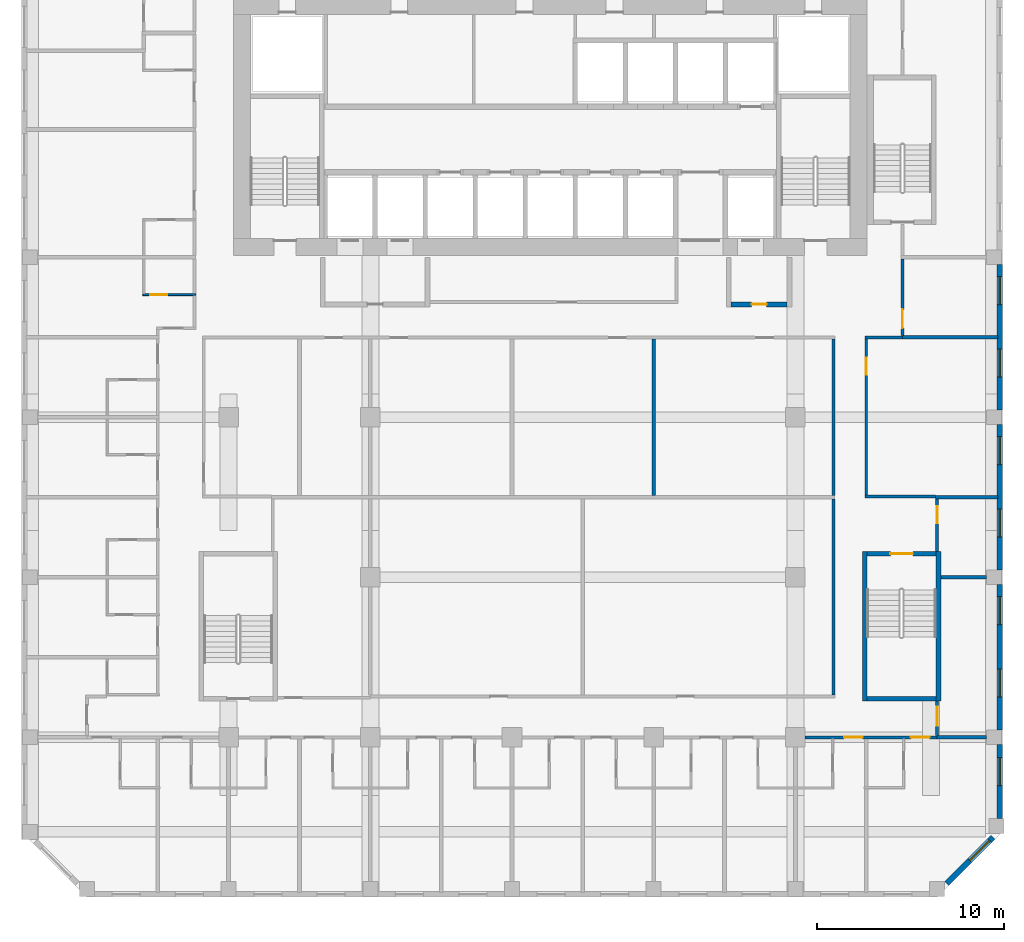
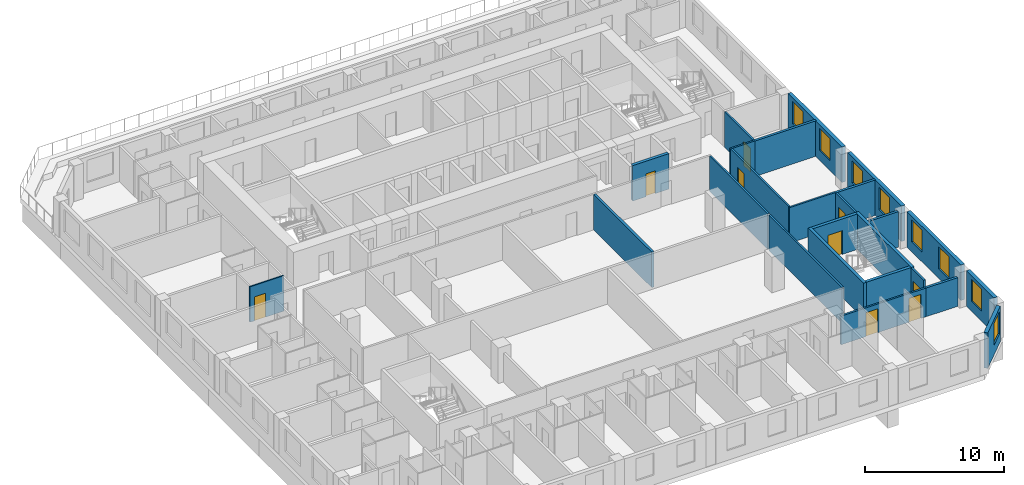
# One storey, part 6 of 16: 25 walls, 9 doors, 8 windows, 17 openings.
"""IFC4 building model written with IfcOpenShell, lengths in metres."""

from ifc_helpers import new_model, si_unit, direction, frame, frame_2d, origin, place, context, subcontext, project, spatial, rectangle, extrude, source, transform, mapped, material, layer, layer_set, type_object, element, fill, save


model = new_model("IFC4")

# Units and contexts
model_context = context("Model", 3, precision=1e-05, world=origin(), true_north=direction((0.0, 1.0)))
body_context = subcontext(model_context, "Body", "Model", "MODEL_VIEW")
ifc_project = project(units=[si_unit("LENGTHUNIT", "METRE"), si_unit("AREAUNIT", "SQUARE_METRE"), si_unit("VOLUMEUNIT", "CUBIC_METRE"), si_unit("PLANEANGLEUNIT", "RADIAN"), si_unit("MASSUNIT", "GRAM", prefix="KILO")], contexts=[model_context])

# Site, building, storey
site_placement = place(None, origin())
site = spatial("IfcSite", under=ifc_project, at=site_placement, CompositionType="ELEMENT")
building_placement = place(site_placement, origin())
building = spatial("IfcBuilding", under=site, at=building_placement, Name="Kilnfold Tower and Market Hall", CompositionType="ELEMENT")
storey_placement = place(building_placement, frame((0.0, 0.0, 168.5)))
storey = spatial("IfcBuildingStorey", under=building, at=storey_placement, Name="L39", CompositionType="ELEMENT", Elevation=168.5)

# Wall, openings, doors
ifc_material_1 = material(Name="Gypsum board on steel studs", Category="steel")
ifc_layer_1 = layer(ifc_material_1, 0.14990234375)
ifc_layer_set_1 = layer_set([ifc_layer_1], Name="Gypsum board on steel studs")
wall_type_1 = type_object("IfcWallType", Name="WALL CORRIDOR 150", PredefinedType="PARTITIONING", material=ifc_layer_set_1)
wall_1_placement = place(storey_placement, frame((14.69189453125, -17.699951171875, 0.0), z_axis=(0.0, 0.0, 1.0), x_axis=(1.0, 0.0, 0.0)))
wall_1 = element("IfcWall", 1, at=wall_1_placement, inside=storey, type_object=wall_type_1, Name="Partition LY26.6", PredefinedType="PARTITIONING", context=body_context, shape_type="SweptSolid", body=[
    extrude(rectangle(XDim=7.05810546875, YDim=0.14990234375, at=frame_2d((3.529052734375, 0.0))), origin(), (0.0, 0.0, 1.0), 2.52001953125),
])
opening_1_placement = place(wall_1_placement, frame((2.076904296875, 0.0, 0.0)))
opening_1 = element("IfcOpeningElement", 2, at=opening_1_placement, cuts=wall_1, Name="Opening D1", PredefinedType="OPENING", context=body_context, shape_type="SweptSolid", body=[
    extrude(rectangle(XDim=1.0, YDim=2.10009765625, at=frame_2d((0.5, 1.050048828125))), frame((0.0, 0.0849609375, 0.0), z_axis=(0.0, -1.0, 0.0), x_axis=(1.0, 0.0, 0.0)), (0.0, 0.0, 1.0), 0.169921875),
])
opening_2_placement = place(wall_1_placement, frame((5.656982421875, 0.0, 0.0)))
opening_2 = element("IfcOpeningElement", 3, at=opening_2_placement, cuts=wall_1, Name="Opening D1", PredefinedType="OPENING", context=body_context, shape_type="SweptSolid", body=[
    extrude(rectangle(XDim=1.0, YDim=2.10009765625, at=frame_2d((0.5, 1.050048828125))), frame((0.0, 0.0849609375, 0.0), z_axis=(0.0, -1.0, 0.0), x_axis=(1.0, 0.0, 0.0)), (0.0, 0.0, 1.0), 0.169921875),
])
ifc_material_2 = material(Name="Timber veneer door leaf in steel frame", Category="steel")
door_type_1 = type_object("IfcDoorType", Name="DOOR ENTRY 1000 X2100", OperationType="NOTDEFINED", PredefinedType="DOOR", material=ifc_material_2)
door_1_placement = place(opening_1_placement, origin())
door_1 = element("IfcDoor", 4, at=door_1_placement, inside=storey, type_object=door_type_1, Name="Door D1", OperationType="SINGLE_SWING_LEFT", OverallHeight=2.10009765625, OverallWidth=1.0, PredefinedType="DOOR", context=body_context, shape_type="SweptSolid", body=[
    extrude(rectangle(XDim=1.0, YDim=2.10009765625, at=frame_2d((0.5, 1.050048828125))), frame((0.0, 0.02490234375, 0.0), z_axis=(0.0, -1.0, 0.0), x_axis=(1.0, 0.0, 0.0)), (0.0, 0.0, 1.0), 0.050048828125),
])
fill(opening_1, door_1)
door_2_placement = place(opening_2_placement, origin())
door_2 = element("IfcDoor", 5, at=door_2_placement, inside=storey, type_object=door_type_1, Name="Door D1", OperationType="SINGLE_SWING_LEFT", OverallHeight=2.10009765625, OverallWidth=1.0, PredefinedType="DOOR", context=body_context, shape_type="SweptSolid", body=[
    extrude(rectangle(XDim=1.0, YDim=2.10009765625, at=frame_2d((0.5, 1.050048828125))), frame((0.0, 0.02490234375, 0.0), z_axis=(0.0, -1.0, 0.0), x_axis=(1.0, 0.0, 0.0)), (0.0, 0.0, 1.0), 0.050048828125),
])
fill(opening_2, door_2)

# Wall, opening, door
wall_2_placement = place(storey_placement, frame((19.89990234375, 3.80908203125, 0.0), z_axis=(0.0, 0.0, 1.0), x_axis=(0.0, 1.0, 0.0)))
wall_2 = element("IfcWall", 6, at=wall_2_placement, inside=storey, type_object=wall_type_1, Name="Partition LY26.29", PredefinedType="PARTITIONING", context=body_context, shape_type="SweptSolid", body=[
    extrude(rectangle(XDim=4.100830078125, YDim=0.14990234375, at=frame_2d((2.05029296875, 0.0))), origin(), (0.0, 0.0, 1.0), 3.1201171875),
])
opening_3_placement = place(wall_2_placement, frame((0.39990234375, 0.0, 0.0)))
opening_3 = element("IfcOpeningElement", 7, at=opening_3_placement, cuts=wall_2, Name="Opening D4", PredefinedType="OPENING", context=body_context, shape_type="SweptSolid", body=[
    extrude(rectangle(XDim=1.0, YDim=2.10009765625, at=frame_2d((0.5, 1.050048828125))), frame((0.0, 0.0849609375, 0.0), z_axis=(0.0, -1.0, 0.0), x_axis=(1.0, 0.0, 0.0)), (0.0, 0.0, 1.0), 0.169921875),
])
ifc_material_3 = material(Name="Timber veneer door leaf in steel frame", Category="steel")
door_type_2 = type_object("IfcDoorType", Name="DOOR SERVICE 1000 X2100", OperationType="NOTDEFINED", PredefinedType="DOOR", material=ifc_material_3)
door_3_placement = place(opening_3_placement, origin())
door_3 = element("IfcDoor", 8, at=door_3_placement, inside=storey, type_object=door_type_2, Name="Door D4", OperationType="SINGLE_SWING_LEFT", OverallHeight=2.10009765625, OverallWidth=1.0, PredefinedType="DOOR", context=body_context, shape_type="SweptSolid", body=[
    extrude(rectangle(XDim=1.0, YDim=2.10009765625, at=frame_2d((0.5, 1.050048828125))), frame((0.0, 0.02490234375, 0.0), z_axis=(0.0, -1.0, 0.0), x_axis=(1.0, 0.0, 0.0)), (0.0, 0.0, 1.0), 0.050048828125),
])
fill(opening_3, door_3)

# Wall
wall_3_placement = place(storey_placement, frame((17.884033203125, 3.699951171875, 0.0), z_axis=(0.0, 0.0, 1.0), x_axis=(1.0, 0.0, 0.0)))
element("IfcWall", 9, at=wall_3_placement, inside=storey, type_object=wall_type_1, Name="Partition LY26.34", PredefinedType="PARTITIONING", context=body_context, shape_type="SweptSolid", body=[
    extrude(rectangle(XDim=2.015869140625, YDim=0.14990234375, at=frame_2d((1.0078125, 0.0))), origin(), (0.0, 0.0, 1.0), 3.1201171875),
])

# Wall, opening, door
wall_4_placement = place(storey_placement, frame((17.958984375, -4.72509765625, 0.0), z_axis=(0.0, 0.0, 1.0), x_axis=(0.0, 1.0, 0.0)))
wall_4 = element("IfcWall", 10, at=wall_4_placement, inside=storey, type_object=wall_type_1, Name="Partition LY26.35", PredefinedType="PARTITIONING", context=body_context, shape_type="SweptSolid", body=[
    extrude(rectangle(XDim=8.35009765625, YDim=0.14990234375, at=frame_2d((4.175048828125, 0.0))), origin(), (0.0, 0.0, 1.0), 3.1201171875),
])
opening_4_placement = place(wall_4_placement, frame((6.444091796875, 0.0, 0.0)))
opening_4 = element("IfcOpeningElement", 11, at=opening_4_placement, cuts=wall_4, Name="Opening D2", PredefinedType="OPENING", context=body_context, shape_type="SweptSolid", body=[
    extrude(rectangle(XDim=0.89990234375, YDim=2.10009765625, at=frame_2d((0.449951171875, 1.050048828125))), frame((0.0, 0.0849609375, 0.0), z_axis=(0.0, -1.0, 0.0), x_axis=(1.0, 0.0, 0.0)), (0.0, 0.0, 1.0), 0.169921875),
])
ifc_material_4 = material(Name="Timber veneer door leaf in steel frame", Category="steel")
door_type_3 = type_object("IfcDoorType", Name="DOOR ROOM 900 X2100", OperationType="NOTDEFINED", PredefinedType="DOOR", material=ifc_material_4)
door_4_placement = place(opening_4_placement, origin())
door_4 = element("IfcDoor", 12, at=door_4_placement, inside=storey, type_object=door_type_3, Name="Door D2", OperationType="SINGLE_SWING_LEFT", OverallHeight=2.10009765625, OverallWidth=0.89990234375, PredefinedType="DOOR", context=body_context, shape_type="SweptSolid", body=[
    extrude(rectangle(XDim=0.89990234375, YDim=2.10009765625, at=frame_2d((0.449951171875, 1.050048828125))), frame((0.0, 0.02490234375, 0.0), z_axis=(0.0, -1.0, 0.0), x_axis=(1.0, 0.0, 0.0)), (0.0, 0.0, 1.0), 0.050048828125),
])
fill(opening_4, door_4)

# Wall
wall_5_placement = place(storey_placement, frame((17.884033203125, -4.800048828125, 0.0), z_axis=(0.0, 0.0, 1.0), x_axis=(1.0, 0.0, 0.0)))
element("IfcWall", 13, at=wall_5_placement, inside=storey, type_object=wall_type_1, Name="Partition LY26.36", PredefinedType="PARTITIONING", context=body_context, shape_type="SweptSolid", body=[
    extrude(rectangle(XDim=3.79296875, YDim=0.14990234375, at=frame_2d((1.896484375, 0.0))), origin(), (0.0, 0.0, 1.0), 3.1201171875),
])

# Wall, opening, door
wall_6_placement = place(storey_placement, frame((21.75, -7.75, 0.0), z_axis=(0.0, 0.0, 1.0), x_axis=(0.0, 1.0, 0.0)))
wall_6 = element("IfcWall", 14, at=wall_6_placement, inside=storey, type_object=wall_type_1, Name="Partition LY26.37", PredefinedType="PARTITIONING", context=body_context, shape_type="SweptSolid", body=[
    extrude(rectangle(XDim=2.81689453125, YDim=0.14990234375, at=frame_2d((1.408447265625, 0.0))), origin(), (0.0, 0.0, 1.0), 3.1201171875),
])
opening_5_placement = place(wall_6_placement, frame((1.514892578125, 0.0, 0.0)))
opening_5 = element("IfcOpeningElement", 15, at=opening_5_placement, cuts=wall_6, Name="Opening D2", PredefinedType="OPENING", context=body_context, shape_type="SweptSolid", body=[
    extrude(rectangle(XDim=0.89990234375, YDim=2.10009765625, at=frame_2d((0.449951171875, 1.050048828125))), frame((0.0, 0.0849609375, 0.0), z_axis=(0.0, -1.0, 0.0), x_axis=(1.0, 0.0, 0.0)), (0.0, 0.0, 1.0), 0.169921875),
])
door_5_placement = place(opening_5_placement, origin())
door_5 = element("IfcDoor", 16, at=door_5_placement, inside=storey, type_object=door_type_3, Name="Door D2", OperationType="SINGLE_SWING_RIGHT", OverallHeight=2.10009765625, OverallWidth=0.89990234375, PredefinedType="DOOR", context=body_context, shape_type="SweptSolid", body=[
    extrude(rectangle(XDim=0.89990234375, YDim=2.10009765625, at=frame_2d((0.449951171875, 1.050048828125))), frame((0.0, 0.02490234375, 0.0), z_axis=(0.0, -1.0, 0.0), x_axis=(1.0, 0.0, 0.0)), (0.0, 0.0, 1.0), 0.050048828125),
])
fill(opening_5, door_5)

wall_7_placement = place(storey_placement, frame((21.75, -17.597900390625, 0.0), z_axis=(0.0, 0.0, 1.0), x_axis=(0.0, 1.0, 0.0)))
wall_7 = element("IfcWall", 17, at=wall_7_placement, inside=storey, type_object=wall_type_1, Name="Partition LY26.38", PredefinedType="PARTITIONING", context=body_context, shape_type="SweptSolid", body=[
    extrude(rectangle(XDim=1.847900390625, YDim=0.14990234375, at=frame_2d((0.923828125, 0.0))), origin(), (0.0, 0.0, 1.0), 3.1201171875),
])
opening_6_placement = place(wall_7_placement, frame((0.535888671875, 0.0, 0.0)))
opening_6 = element("IfcOpeningElement", 18, at=opening_6_placement, cuts=wall_7, Name="Opening D4", PredefinedType="OPENING", context=body_context, shape_type="SweptSolid", body=[
    extrude(rectangle(XDim=1.0, YDim=2.10009765625, at=frame_2d((0.5, 1.050048828125))), frame((0.0, 0.0849609375, 0.0), z_axis=(0.0, -1.0, 0.0), x_axis=(1.0, 0.0, 0.0)), (0.0, 0.0, 1.0), 0.169921875),
])
door_6_placement = place(opening_6_placement, origin())
door_6 = element("IfcDoor", 19, at=door_6_placement, inside=storey, type_object=door_type_2, Name="Door D4", OperationType="SINGLE_SWING_RIGHT", OverallHeight=2.10009765625, OverallWidth=1.0, PredefinedType="DOOR", context=body_context, shape_type="SweptSolid", body=[
    extrude(rectangle(XDim=1.0, YDim=2.10009765625, at=frame_2d((0.5, 1.050048828125))), frame((0.0, 0.02490234375, 0.0), z_axis=(0.0, -1.0, 0.0), x_axis=(1.0, 0.0, 0.0)), (0.0, 0.0, 1.0), 0.050048828125),
])
fill(opening_6, door_6)

# Walls
wall_8_placement = place(storey_placement, frame((16.199951171875, -4.7529296875, 0.0), z_axis=(0.0, 0.0, 1.0), x_axis=(0.0, 1.0, 0.0)))
element("IfcWall", 20, at=wall_8_placement, inside=storey, type_object=wall_type_1, Name="Partition LY26.45", PredefinedType="PARTITIONING", context=body_context, shape_type="SweptSolid", body=[
    extrude(rectangle(XDim=8.3779296875, YDim=0.14990234375, at=frame_2d((4.18896484375, 0.0))), origin(), (0.0, 0.0, 1.0), 3.1201171875),
])
wall_9_placement = place(storey_placement, frame((16.199951171875, -15.425048828125, 0.0), z_axis=(0.0, 0.0, 1.0), x_axis=(0.0, 1.0, 0.0)))
element("IfcWall", 21, at=wall_9_placement, inside=storey, type_object=wall_type_1, Name="Partition LY26.49", PredefinedType="PARTITIONING", context=body_context, shape_type="SweptSolid", body=[
    extrude(rectangle(XDim=10.491943359375, YDim=0.14990234375, at=frame_2d((5.24609375, 0.0))), origin(), (0.0, 0.0, 1.0), 3.1201171875),
])

# Wall, opening, door
ifc_material_5 = material(Name="Gypsum board on steel studs", Category="steel")
ifc_layer_2 = layer(ifc_material_5, 0.10009765625)
ifc_layer_set_2 = layer_set([ifc_layer_2], Name="Gypsum board on steel studs")
wall_type_2 = type_object("IfcWallType", Name="WALL PARTITION 100", PredefinedType="PARTITIONING", material=ifc_layer_set_2)
wall_10_placement = place(storey_placement, frame((-17.927001953125, 6.0, 0.0), z_axis=(0.0, 0.0, 1.0), x_axis=(-1.0, 0.0, 0.0)))
wall_10 = element("IfcWall", 22, at=wall_10_placement, inside=storey, type_object=wall_type_2, Name="Partition LY26.104", PredefinedType="PARTITIONING", context=body_context, shape_type="SweptSolid", body=[
    extrude(rectangle(XDim=2.824951171875, YDim=0.10009765625, at=frame_2d((1.41259765625, 0.0))), origin(), (0.0, 0.0, 1.0), 3.1201171875),
])
opening_7_placement = place(wall_10_placement, frame((1.52197265625, 0.0, 0.0)))
opening_7 = element("IfcOpeningElement", 23, at=opening_7_placement, cuts=wall_10, Name="Opening D3", PredefinedType="OPENING", context=body_context, shape_type="SweptSolid", body=[
    extrude(rectangle(XDim=0.89990234375, YDim=2.10009765625, at=frame_2d((0.449951171875, 1.050048828125))), frame((0.0, 0.06005859375, 0.0), z_axis=(0.0, -1.0, 0.0), x_axis=(1.0, 0.0, 0.0)), (0.0, 0.0, 1.0), 0.1201171875),
])
ifc_material_6 = material(Name="Timber veneer door leaf in steel frame", Category="steel")
door_type_4 = type_object("IfcDoorType", Name="DOOR WC 900 X2100", OperationType="NOTDEFINED", PredefinedType="DOOR", material=ifc_material_6)
door_7_placement = place(opening_7_placement, origin())
door_7 = element("IfcDoor", 24, at=door_7_placement, inside=storey, type_object=door_type_4, Name="Door D3", OperationType="SINGLE_SWING_RIGHT", OverallHeight=2.10009765625, OverallWidth=0.89990234375, PredefinedType="DOOR", context=body_context, shape_type="SweptSolid", body=[
    extrude(rectangle(XDim=0.89990234375, YDim=2.10009765625, at=frame_2d((0.449951171875, 1.050048828125))), frame((0.0, 0.02490234375, 0.0), z_axis=(0.0, -1.0, 0.0), x_axis=(1.0, 0.0, 0.0)), (0.0, 0.0, 1.0), 0.050048828125),
])
fill(opening_7, door_7)

# Walls
ifc_material_7 = material(Name="Gypsum board on steel studs", Category="steel")
ifc_layer_3 = layer(ifc_material_7, 0.199951171875)
ifc_layer_set_3 = layer_set([ifc_layer_3], Name="Gypsum board on steel studs")
wall_type_3 = type_object("IfcWallType", Name="WALL PARTY 200", PredefinedType="PARTITIONING", material=ifc_layer_set_3)
wall_11_placement = place(storey_placement, frame((21.751953125, -17.68798828125, 0.0), z_axis=(0.0, 0.0, 1.0), x_axis=(1.0, 0.0, 0.0)))
element("IfcWall", 25, at=wall_11_placement, inside=storey, type_object=wall_type_3, Name="Partition LY26.88", PredefinedType="PARTITIONING", context=body_context, shape_type="SweptSolid", body=[
    extrude(rectangle(XDim=2.64794921875, YDim=0.199951171875, at=frame_2d((1.323974609375, 0.0))), origin(), (0.0, 0.0, 1.0), 2.52001953125),
])
wall_12_placement = place(storey_placement, frame((19.902099609375, 3.718994140625, 0.0), z_axis=(0.0, 0.0, 1.0), x_axis=(1.0, 0.0, 0.0)))
element("IfcWall", 26, at=wall_12_placement, inside=storey, type_object=wall_type_3, Name="Partition LY26.119", PredefinedType="PARTITIONING", context=body_context, shape_type="SweptSolid", body=[
    extrude(rectangle(XDim=5.097900390625, YDim=0.199951171875, at=frame_2d((2.548828125, 0.0))), origin(), (0.0, 0.0, 1.0), 3.1201171875),
])
wall_13_placement = place(storey_placement, frame((21.677001953125, -4.843017578125, 0.0), z_axis=(0.0, 0.0, 1.0), x_axis=(1.0, 0.0, 0.0)))
element("IfcWall", 27, at=wall_13_placement, inside=storey, type_object=wall_type_3, Name="Partition LY26.122", PredefinedType="PARTITIONING", context=body_context, shape_type="SweptSolid", body=[
    extrude(rectangle(XDim=3.322998046875, YDim=0.199951171875, at=frame_2d((1.66162109375, 0.0))), origin(), (0.0, 0.0, 1.0), 3.1201171875),
])
wall_14_placement = place(storey_placement, frame((21.949951171875, -9.125, 0.0), z_axis=(0.0, 0.0, 1.0), x_axis=(1.0, 0.0, 0.0)))
element("IfcWall", 28, at=wall_14_placement, inside=storey, type_object=wall_type_3, Name="Partition LY26.123", PredefinedType="PARTITIONING", context=body_context, shape_type="SweptSolid", body=[
    extrude(rectangle(XDim=2.449951171875, YDim=0.199951171875, at=frame_2d((1.22509765625, 0.0))), origin(), (0.0, 0.0, 1.0), 3.1201171875),
])
wall_15_placement = place(storey_placement, frame((6.5830078125, -4.742919921875, 0.0), z_axis=(0.0, 0.0, 1.0), x_axis=(0.0, 1.0, 0.0)))
element("IfcWall", 29, at=wall_15_placement, inside=storey, type_object=wall_type_3, Name="Partition LY26.139", PredefinedType="PARTITIONING", context=body_context, shape_type="SweptSolid", body=[
    extrude(rectangle(XDim=8.365966796875, YDim=0.199951171875, at=frame_2d((4.18310546875, 0.0))), origin(), (0.0, 0.0, 1.0), 3.1201171875),
])
ifc_material_8 = material(Name="Concrete C70", Category="concrete")
ifc_layer_4 = layer(ifc_material_8, 0.25)
ifc_layer_set_4 = layer_set([ifc_layer_4], Name="Concrete C70")
wall_type_4 = type_object("IfcWallType", Name="CORE WALL 250 C70", PredefinedType="SHEAR", material=ifc_layer_set_4)
shared_shape_1 = source(origin(), body_context, "Body", "SweptSolid", [
    extrude(rectangle(XDim=3.699951171875, YDim=0.25, at=frame_2d((1.85009765625, 0.0))), origin(), (0.0, 0.0, 1.0), 3.1201171875),
])
wall_16_placement = place(storey_placement, frame((18.0, -15.625, 0.0), z_axis=(0.0, 0.0, 1.0), x_axis=(1.0, 0.0, 0.0)))
element("IfcWall", 30, at=wall_16_placement, inside=storey, type_object=wall_type_4, Name="Stair enclosure ST4", PredefinedType="SHEAR", context=body_context, shape_type="MappedRepresentation", body=[
    mapped(shared_shape_1, transform((0.0, 0.0, 0.0))),
])

# Wall, opening, door
wall_17_placement = place(storey_placement, frame((18.0, -7.875, 0.0), z_axis=(0.0, 0.0, 1.0), x_axis=(1.0, 0.0, 0.0)))
wall_17 = element("IfcWall", 31, at=wall_17_placement, inside=storey, type_object=wall_type_4, Name="Stair enclosure ST4", PredefinedType="SHEAR", context=body_context, shape_type="MappedRepresentation", body=[
    mapped(shared_shape_1, transform((0.0, 0.0, 0.0))),
])
opening_8_placement = place(wall_17_placement, frame((1.25, 0.0, 0.0)))
opening_8 = element("IfcOpeningElement", 32, at=opening_8_placement, cuts=wall_17, Name="Opening SD1", PredefinedType="OPENING", context=body_context, shape_type="SweptSolid", body=[
    extrude(rectangle(XDim=1.199951171875, YDim=2.10009765625, at=frame_2d((0.60009765625, 1.050048828125))), frame((0.0, 0.135009765625, 0.0), z_axis=(0.0, -1.0, 0.0), x_axis=(1.0, 0.0, 0.0)), (0.0, 0.0, 1.0), 0.27001953125),
])
ifc_material_9 = material(Name="Steel door set with fire-resisting leaf", Category="steel")
door_type_5 = type_object("IfcDoorType", Name="STAIR FLOOR DOOR 1200X2100", OperationType="NOTDEFINED", PredefinedType="DOOR", material=ifc_material_9)
door_8_placement = place(opening_8_placement, origin())
door_8 = element("IfcDoor", 33, at=door_8_placement, inside=storey, type_object=door_type_5, Name="Exit stair ST4 door", OperationType="DOUBLE_DOOR_SINGLE_SWING", OverallHeight=2.10009765625, OverallWidth=1.199951171875, PredefinedType="DOOR", context=body_context, shape_type="SweptSolid", body=[
    extrude(rectangle(XDim=1.199951171875, YDim=2.10009765625, at=frame_2d((0.60009765625, 1.050048828125))), frame((0.0, 0.02490234375, 0.0), z_axis=(0.0, -1.0, 0.0), x_axis=(1.0, 0.0, 0.0)), (0.0, 0.0, 1.0), 0.050048828125),
])
fill(opening_8, door_8)

# Walls
shared_shape_2 = source(origin(), body_context, "Body", "SweptSolid", [
    extrude(rectangle(XDim=8.0, YDim=0.25, at=frame_2d((4.0, 0.0))), origin(), (0.0, 0.0, 1.0), 3.1201171875),
])
for number, where, z_axis, x_axis, name in (
    (34, (17.875, -15.75, 0.0), (0.0, 0.0, 1.0), (0.0, 1.0, 0.0), "Stair enclosure ST4"),
    (35, (21.824951171875, -15.75, 0.0), (0.0, 0.0, 1.0), (0.0, 1.0, 0.0), "Stair enclosure ST4"),
):
    element("IfcWall", number, at=place(storey_placement, frame(where, z_axis=z_axis, x_axis=x_axis)), inside=storey, type_object=wall_type_4, Name=name, PredefinedType="SHEAR", context=body_context, shape_type="MappedRepresentation", body=[
        mapped(shared_shape_2, transform((0.0, 0.0, 0.0))),
    ])

# Wall, opening, window
ifc_material_10 = material(Name="Precast concrete C50/60", Category="concrete")
ifc_layer_5 = layer(ifc_material_10, 0.300048828125)
ifc_layer_set_5 = layer_set([ifc_layer_5], Name="Precast concrete C50/60")
wall_type_5 = type_object("IfcWallType", Name="PRECAST WALL 300", PredefinedType="SOLIDWALL", material=ifc_layer_set_5)
shared_shape_3 = source(origin(), body_context, "Body", "SweptSolid", [
    extrude(rectangle(XDim=3.500244140625, YDim=0.300048828125, at=frame_2d((1.75, 0.0))), origin(), (0.0, 0.0, 1.0), 3.1201171875),
])
wall_18_placement = place(storey_placement, frame((22.268798828125, -25.518798828125, 0.0), z_axis=(0.0, 0.0, 1.0), x_axis=(0.707141656123, 0.70707190453, 0.0)))
wall_18 = element("IfcWall", 36, at=wall_18_placement, inside=storey, type_object=wall_type_5, Name="External wall L39 SE", PredefinedType="SOLIDWALL", context=body_context, shape_type="MappedRepresentation", body=[
    mapped(shared_shape_3, transform((0.0, 0.0, 0.0))),
])
opening_9_placement = place(wall_18_placement, frame((1.75, 0.0, 0.85009765625)))
opening_9 = element("IfcOpeningElement", 37, at=opening_9_placement, cuts=wall_18, Name="Opening W4", PredefinedType="OPENING", context=body_context, shape_type="SweptSolid", body=[
    extrude(rectangle(XDim=1.5, YDim=1.949951171875, at=frame_2d((0.75, 0.97509765625))), frame((0.0, 0.16015625, 0.0), z_axis=(0.0, -1.0, 0.0), x_axis=(1.0, 0.0, 0.0)), (0.0, 0.0, 1.0), 0.320068359375),
])
ifc_material_11 = material(Name="Aluminium frame and double glazing", Category="aluminium")
window_type = type_object("IfcWindowType", Name="WINDOW W4 1500X1950", PartitioningType="SINGLE_PANEL", PredefinedType="WINDOW", material=ifc_material_11)
window_1_placement = place(opening_9_placement, origin())
window_1 = element("IfcWindow", 38, at=window_1_placement, inside=storey, type_object=window_type, Name="Window W4 L39 SE-1", OverallHeight=1.949951171875, OverallWidth=1.5, PartitioningType="SINGLE_PANEL", PredefinedType="WINDOW", context=body_context, shape_type="SweptSolid", body=[
    extrude(rectangle(XDim=1.5, YDim=1.949951171875, at=frame_2d((0.75, 0.97509765625))), frame((0.0, 0.030029296875, 0.0), z_axis=(0.0, -1.0, 0.0), x_axis=(1.0, 0.0, 0.0)), (0.0, 0.0, 1.0), 0.06005859375),
])
fill(opening_9, window_1)

shared_shape_4 = source(origin(), body_context, "Body", "SweptSolid", [
    extrude(rectangle(XDim=3.9443359375, YDim=0.300048828125, at=frame_2d((1.97216796875, 0.0))), origin(), (0.0, 0.0, 1.0), 3.1201171875),
])
wall_19_placement = place(storey_placement, frame((25.10009765625, -22.03173828125, 0.0), z_axis=(0.0, 0.0, 1.0), x_axis=(0.0, 1.0, 0.0)))
wall_19 = element("IfcWall", 39, at=wall_19_placement, inside=storey, type_object=wall_type_5, Name="External wall L39 E", PredefinedType="SOLIDWALL", context=body_context, shape_type="MappedRepresentation", body=[
    mapped(shared_shape_4, transform((0.0, 0.0, 0.0))),
])
opening_10_placement = place(wall_19_placement, frame((1.75, 0.0, 0.85009765625)))
opening_10 = element("IfcOpeningElement", 40, at=opening_10_placement, cuts=wall_19, Name="Opening W4", PredefinedType="OPENING", context=body_context, shape_type="SweptSolid", body=[
    extrude(rectangle(XDim=1.5, YDim=1.949951171875, at=frame_2d((0.75, 0.97509765625))), frame((0.0, 0.16015625, 0.0), z_axis=(0.0, -1.0, 0.0), x_axis=(1.0, 0.0, 0.0)), (0.0, 0.0, 1.0), 0.320068359375),
])
window_2_placement = place(opening_10_placement, origin())
window_2 = element("IfcWindow", 41, at=window_2_placement, inside=storey, type_object=window_type, Name="Window W4 L39 E-1", OverallHeight=1.949951171875, OverallWidth=1.5, PartitioningType="SINGLE_PANEL", PredefinedType="WINDOW", context=body_context, shape_type="SweptSolid", body=[
    extrude(rectangle(XDim=1.5, YDim=1.949951171875, at=frame_2d((0.75, 0.97509765625))), frame((0.0, 0.030029296875, 0.0), z_axis=(0.0, -1.0, 0.0), x_axis=(1.0, 0.0, 0.0)), (0.0, 0.0, 1.0), 0.06005859375),
])
fill(opening_10, window_2)

# Wall, openings, windows
shared_shape_5 = source(origin(), body_context, "Body", "SweptSolid", [
    extrude(rectangle(XDim=7.7626953125, YDim=0.300048828125, at=frame_2d((3.88134765625, 0.0))), origin(), (0.0, 0.0, 1.0), 3.1201171875),
])
wall_20_placement = place(storey_placement, frame((25.10009765625, -17.28759765625, 0.0), z_axis=(0.0, 0.0, 1.0), x_axis=(0.0, 1.0, 0.0)))
wall_20 = element("IfcWall", 42, at=wall_20_placement, inside=storey, type_object=wall_type_5, Name="External wall L39 E", PredefinedType="SOLIDWALL", context=body_context, shape_type="MappedRepresentation", body=[
    mapped(shared_shape_5, transform((0.0, 0.0, 0.0))),
])
opening_11_placement = place(wall_20_placement, frame((1.75, 0.0, 0.85009765625)))
opening_11 = element("IfcOpeningElement", 43, at=opening_11_placement, cuts=wall_20, Name="Opening W4", PredefinedType="OPENING", context=body_context, shape_type="SweptSolid", body=[
    extrude(rectangle(XDim=1.5, YDim=1.949951171875, at=frame_2d((0.75, 0.97509765625))), frame((0.0, 0.16015625, 0.0), z_axis=(0.0, -1.0, 0.0), x_axis=(1.0, 0.0, 0.0)), (0.0, 0.0, 1.0), 0.320068359375),
])
opening_12_placement = place(wall_20_placement, frame((5.63134765625, 0.0, 0.85009765625)))
opening_12 = element("IfcOpeningElement", 44, at=opening_12_placement, cuts=wall_20, Name="Opening W4", PredefinedType="OPENING", context=body_context, shape_type="SweptSolid", body=[
    extrude(rectangle(XDim=1.5, YDim=1.949951171875, at=frame_2d((0.75, 0.97509765625))), frame((0.0, 0.16015625, 0.0), z_axis=(0.0, -1.0, 0.0), x_axis=(1.0, 0.0, 0.0)), (0.0, 0.0, 1.0), 0.320068359375),
])
window_3_placement = place(opening_11_placement, origin())
window_3 = element("IfcWindow", 45, at=window_3_placement, inside=storey, type_object=window_type, Name="Window W4 L39 E-1", OverallHeight=1.949951171875, OverallWidth=1.5, PartitioningType="SINGLE_PANEL", PredefinedType="WINDOW", context=body_context, shape_type="SweptSolid", body=[
    extrude(rectangle(XDim=1.5, YDim=1.949951171875, at=frame_2d((0.75, 0.97509765625))), frame((0.0, 0.030029296875, 0.0), z_axis=(0.0, -1.0, 0.0), x_axis=(1.0, 0.0, 0.0)), (0.0, 0.0, 1.0), 0.06005859375),
])
fill(opening_11, window_3)
window_4_placement = place(opening_12_placement, origin())
window_4 = element("IfcWindow", 46, at=window_4_placement, inside=storey, type_object=window_type, Name="Window W4 L39 E-2", OverallHeight=1.949951171875, OverallWidth=1.5, PartitioningType="SINGLE_PANEL", PredefinedType="WINDOW", context=body_context, shape_type="SweptSolid", body=[
    extrude(rectangle(XDim=1.5, YDim=1.949951171875, at=frame_2d((0.75, 0.97509765625))), frame((0.0, 0.030029296875, 0.0), z_axis=(0.0, -1.0, 0.0), x_axis=(1.0, 0.0, 0.0)), (0.0, 0.0, 1.0), 0.06005859375),
])
fill(opening_12, window_4)

wall_21_placement = place(storey_placement, frame((25.10009765625, -8.72509765625, 0.0), z_axis=(0.0, 0.0, 1.0), x_axis=(0.0, 1.0, 0.0)))
wall_21 = element("IfcWall", 47, at=wall_21_placement, inside=storey, type_object=wall_type_5, Name="External wall L39 E", PredefinedType="SOLIDWALL", context=body_context, shape_type="MappedRepresentation", body=[
    mapped(shared_shape_5, transform((0.0, 0.0, 0.0))),
])
opening_13_placement = place(wall_21_placement, frame((1.75, 0.0, 0.85009765625)))
opening_13 = element("IfcOpeningElement", 48, at=opening_13_placement, cuts=wall_21, Name="Opening W4", PredefinedType="OPENING", context=body_context, shape_type="SweptSolid", body=[
    extrude(rectangle(XDim=1.5, YDim=1.949951171875, at=frame_2d((0.75, 0.97509765625))), frame((0.0, 0.16015625, 0.0), z_axis=(0.0, -1.0, 0.0), x_axis=(1.0, 0.0, 0.0)), (0.0, 0.0, 1.0), 0.320068359375),
])
opening_14_placement = place(wall_21_placement, frame((5.631103515625, 0.0, 0.85009765625)))
opening_14 = element("IfcOpeningElement", 49, at=opening_14_placement, cuts=wall_21, Name="Opening W4", PredefinedType="OPENING", context=body_context, shape_type="SweptSolid", body=[
    extrude(rectangle(XDim=1.5, YDim=1.949951171875, at=frame_2d((0.75, 0.97509765625))), frame((0.0, 0.16015625, 0.0), z_axis=(0.0, -1.0, 0.0), x_axis=(1.0, 0.0, 0.0)), (0.0, 0.0, 1.0), 0.320068359375),
])
window_5_placement = place(opening_13_placement, origin())
window_5 = element("IfcWindow", 50, at=window_5_placement, inside=storey, type_object=window_type, Name="Window W4 L39 E-1", OverallHeight=1.949951171875, OverallWidth=1.5, PartitioningType="SINGLE_PANEL", PredefinedType="WINDOW", context=body_context, shape_type="SweptSolid", body=[
    extrude(rectangle(XDim=1.5, YDim=1.949951171875, at=frame_2d((0.75, 0.97509765625))), frame((0.0, 0.030029296875, 0.0), z_axis=(0.0, -1.0, 0.0), x_axis=(1.0, 0.0, 0.0)), (0.0, 0.0, 1.0), 0.06005859375),
])
fill(opening_13, window_5)
window_6_placement = place(opening_14_placement, origin())
window_6 = element("IfcWindow", 51, at=window_6_placement, inside=storey, type_object=window_type, Name="Window W4 L39 E-2", OverallHeight=1.949951171875, OverallWidth=1.5, PartitioningType="SINGLE_PANEL", PredefinedType="WINDOW", context=body_context, shape_type="SweptSolid", body=[
    extrude(rectangle(XDim=1.5, YDim=1.949951171875, at=frame_2d((0.75, 0.97509765625))), frame((0.0, 0.030029296875, 0.0), z_axis=(0.0, -1.0, 0.0), x_axis=(1.0, 0.0, 0.0)), (0.0, 0.0, 1.0), 0.06005859375),
])
fill(opening_14, window_6)

wall_22_placement = place(storey_placement, frame((25.10009765625, -0.16259765625, 0.0), z_axis=(0.0, 0.0, 1.0), x_axis=(0.0, 1.0, 0.0)))
wall_22 = element("IfcWall", 52, at=wall_22_placement, inside=storey, type_object=wall_type_5, Name="External wall L39 E", PredefinedType="SOLIDWALL", context=body_context, shape_type="MappedRepresentation", body=[
    mapped(shared_shape_5, transform((0.0, 0.0, 0.0))),
])
opening_15_placement = place(wall_22_placement, frame((1.75, 0.0, 0.85009765625)))
opening_15 = element("IfcOpeningElement", 53, at=opening_15_placement, cuts=wall_22, Name="Opening W4", PredefinedType="OPENING", context=body_context, shape_type="SweptSolid", body=[
    extrude(rectangle(XDim=1.5, YDim=1.949951171875, at=frame_2d((0.75, 0.97509765625))), frame((0.0, 0.16015625, 0.0), z_axis=(0.0, -1.0, 0.0), x_axis=(1.0, 0.0, 0.0)), (0.0, 0.0, 1.0), 0.320068359375),
])
opening_16_placement = place(wall_22_placement, frame((5.63134765625, 0.0, 0.85009765625)))
opening_16 = element("IfcOpeningElement", 54, at=opening_16_placement, cuts=wall_22, Name="Opening W4", PredefinedType="OPENING", context=body_context, shape_type="SweptSolid", body=[
    extrude(rectangle(XDim=1.5, YDim=1.949951171875, at=frame_2d((0.75, 0.97509765625))), frame((0.0, 0.16015625, 0.0), z_axis=(0.0, -1.0, 0.0), x_axis=(1.0, 0.0, 0.0)), (0.0, 0.0, 1.0), 0.320068359375),
])
window_7_placement = place(opening_15_placement, origin())
window_7 = element("IfcWindow", 55, at=window_7_placement, inside=storey, type_object=window_type, Name="Window W4 L39 E-1", OverallHeight=1.949951171875, OverallWidth=1.5, PartitioningType="SINGLE_PANEL", PredefinedType="WINDOW", context=body_context, shape_type="SweptSolid", body=[
    extrude(rectangle(XDim=1.5, YDim=1.949951171875, at=frame_2d((0.75, 0.97509765625))), frame((0.0, 0.030029296875, 0.0), z_axis=(0.0, -1.0, 0.0), x_axis=(1.0, 0.0, 0.0)), (0.0, 0.0, 1.0), 0.06005859375),
])
fill(opening_15, window_7)
window_8_placement = place(opening_16_placement, origin())
window_8 = element("IfcWindow", 56, at=window_8_placement, inside=storey, type_object=window_type, Name="Window W4 L39 E-2", OverallHeight=1.949951171875, OverallWidth=1.5, PartitioningType="SINGLE_PANEL", PredefinedType="WINDOW", context=body_context, shape_type="SweptSolid", body=[
    extrude(rectangle(XDim=1.5, YDim=1.949951171875, at=frame_2d((0.75, 0.97509765625))), frame((0.0, 0.030029296875, 0.0), z_axis=(0.0, -1.0, 0.0), x_axis=(1.0, 0.0, 0.0)), (0.0, 0.0, 1.0), 0.06005859375),
])
fill(opening_16, window_8)

# Wall, opening, door
ifc_material_12 = material(Name="Gypsum shaft wall system")
ifc_layer_6 = layer(ifc_material_12, 0.25)
ifc_layer_set_6 = layer_set([ifc_layer_6], Name="Gypsum shaft wall system")
wall_type_6 = type_object("IfcWallType", Name="LOBBY WALL 250", PredefinedType="PARTITIONING", material=ifc_layer_set_6)
shared_shape_6 = source(origin(), body_context, "Body", "SweptSolid", [
    extrude(rectangle(XDim=3.0, YDim=0.25, at=frame_2d((1.5, 0.0))), origin(), (0.0, 0.0, 1.0), 3.1201171875),
])
wall_23_placement = place(storey_placement, frame((10.72998046875, 5.47509765625, 0.0), z_axis=(0.0, 0.0, 1.0), x_axis=(1.0, 0.0, 0.0)))
wall_23 = element("IfcWall", 57, at=wall_23_placement, inside=storey, type_object=wall_type_6, Name="Firefighting lobby wall", PredefinedType="PARTITIONING", context=body_context, shape_type="MappedRepresentation", body=[
    mapped(shared_shape_6, transform((0.0, 0.0, 0.0))),
])
opening_17_placement = place(wall_23_placement, frame((1.10009765625, 0.0, 0.0)))
opening_17 = element("IfcOpeningElement", 58, at=opening_17_placement, cuts=wall_23, Name="Opening VD1", PredefinedType="OPENING", context=body_context, shape_type="SweptSolid", body=[
    extrude(rectangle(XDim=0.800048828125, YDim=2.0, at=frame_2d((0.39990234375, 1.0))), frame((0.0, 0.135009765625, 0.0), z_axis=(0.0, -1.0, 0.0), x_axis=(1.0, 0.0, 0.0)), (0.0, 0.0, 1.0), 0.27001953125),
])
ifc_material_13 = material(Name="Steel door set with fire-resisting leaf", Category="steel")
door_type_6 = type_object("IfcDoorType", Name="FIREFIGHTING LOBBY DOOR 800X2000", OperationType="NOTDEFINED", PredefinedType="DOOR", material=ifc_material_13)
door_9_placement = place(opening_17_placement, origin())
door_9 = element("IfcDoor", 59, at=door_9_placement, inside=storey, type_object=door_type_6, Name="Firefighting lobby door", OperationType="SINGLE_SWING_RIGHT", OverallHeight=2.0, OverallWidth=0.800048828125, PredefinedType="DOOR", context=body_context, shape_type="SweptSolid", body=[
    extrude(rectangle(XDim=0.800048828125, YDim=2.0, at=frame_2d((0.39990234375, 1.0))), frame((0.0, 0.02490234375, 0.0), z_axis=(0.0, -1.0, 0.0), x_axis=(1.0, 0.0, 0.0)), (0.0, 0.0, 1.0), 0.050048828125),
])
fill(opening_17, door_9)

save(model, "model.ifc")
